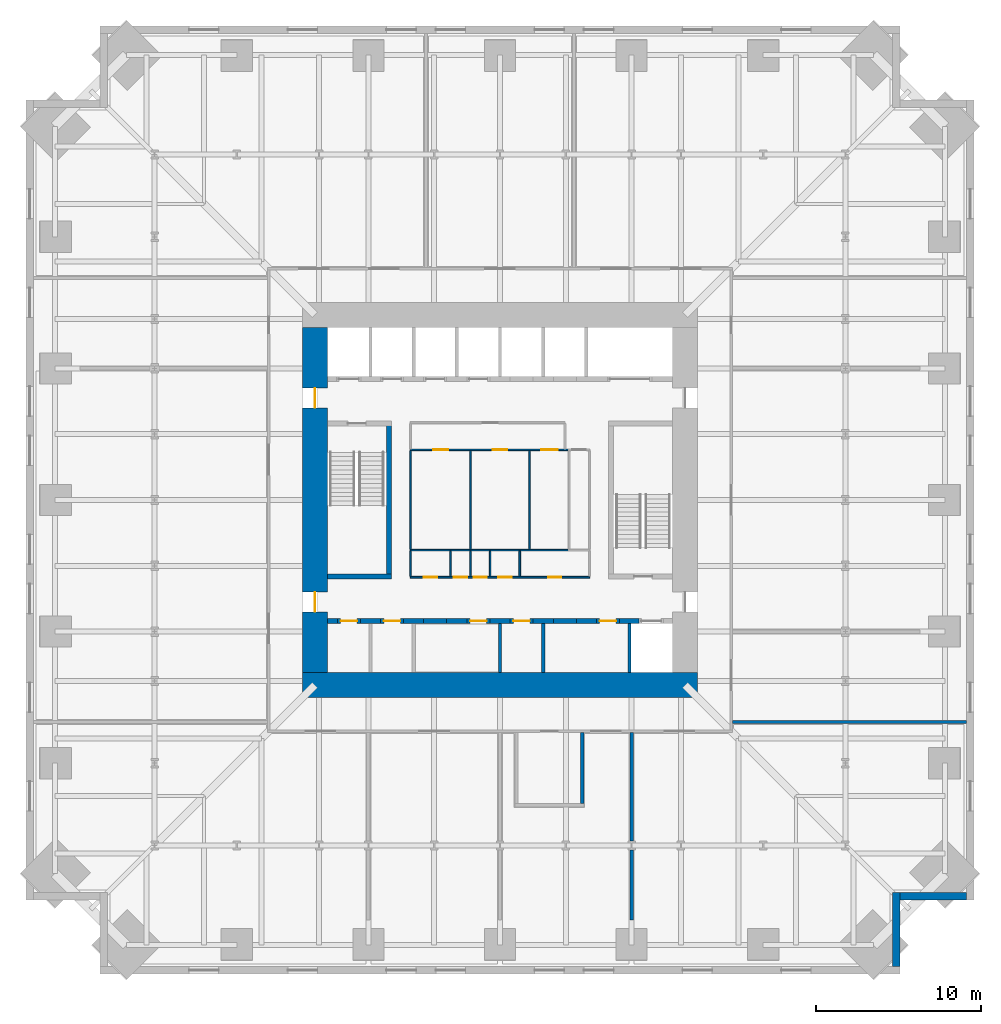
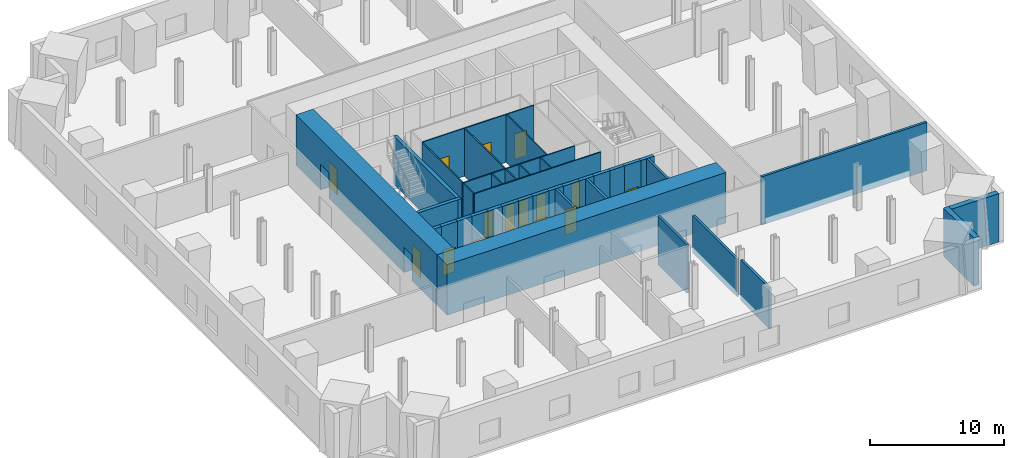
# One storey, part 4 of 8: 39 walls, 15 doors, 15 openings.
"""IFC4 building model written with IfcOpenShell, lengths in metres."""

from ifc_helpers import new_model, si_unit, direction, frame, frame_2d, origin, place, context, subcontext, project, spatial, rectangle, extrude, material, layer, layer_set, type_object, element, fill, save


model = new_model("IFC4")

# Units and contexts
model_context = context("Model", 3, precision=1e-05, world=origin(), true_north=direction((0.0, 1.0)))
body_context = subcontext(model_context, "Body", "Model", "MODEL_VIEW")
ifc_project = project(units=[si_unit("LENGTHUNIT", "METRE"), si_unit("AREAUNIT", "SQUARE_METRE"), si_unit("VOLUMEUNIT", "CUBIC_METRE"), si_unit("PLANEANGLEUNIT", "RADIAN"), si_unit("MASSUNIT", "GRAM", prefix="KILO")], contexts=[model_context])

# Site, building, storey
site_placement = place(None, origin())
site = spatial("IfcSite", under=ifc_project, at=site_placement, CompositionType="ELEMENT")
building_placement = place(site_placement, origin())
building = spatial("IfcBuilding", under=site, at=building_placement, Name="Peilmerk Tower", CompositionType="ELEMENT")
storey_placement = place(building_placement, frame((0.0, 0.0, 95.199951171875)))
storey = spatial("IfcBuildingStorey", under=building, at=storey_placement, Name="L18", CompositionType="ELEMENT", Elevation=95.199951171875)

# Walls
ifc_material_1 = material(Name="Precast concrete C45/55, board-marked finish", Category="concrete")
ifc_layer_1 = layer(ifc_material_1, 0.449951171875)
ifc_layer_set_1 = layer_set([ifc_layer_1], Name="Precast concrete C45/55, board-marked finish")
wall_type_1 = type_object("IfcWallType", Name="EW1 450 precast concrete facade wall, board-marked", PredefinedType="SOLIDWALL", material=ifc_layer_set_1)
wall_1_placement = place(storey_placement, frame((24.074951171875, -23.85009765625, 0.0), z_axis=(0.0, 0.0, 1.0), x_axis=(0.0, -1.0, 0.0)))
element("IfcWall", 1, at=wall_1_placement, inside=storey, type_object=wall_type_1, Name="Facade wall SEA L18", PredefinedType="SOLIDWALL", context=body_context, shape_type="SweptSolid", body=[
    extrude(rectangle(XDim=4.5, YDim=0.449951171875, at=frame_2d((2.25, 0.0))), origin(), (0.0, 0.0, 1.0), 4.400146484375),
])
wall_2_placement = place(storey_placement, frame((24.300048828125, -24.074951171875, 0.0), z_axis=(0.0, 0.0, 1.0), x_axis=(1.0, 0.0, 0.0)))
element("IfcWall", 2, at=wall_2_placement, inside=storey, type_object=wall_type_1, Name="Facade wall SEB L18", PredefinedType="SOLIDWALL", context=body_context, shape_type="SweptSolid", body=[
    extrude(rectangle(XDim=4.050048828125, YDim=0.449951171875, at=frame_2d((2.02490234375, 0.0))), origin(), (0.0, 0.0, 1.0), 4.400146484375),
])
ifc_material_2 = material(Name="Calcium silicate block", Category="masonry")
ifc_layer_2 = layer(ifc_material_2, 0.199951171875)
ifc_layer_set_2 = layer_set([ifc_layer_2], Name="Calcium silicate block")
wall_type_2 = type_object("IfcWallType", Name="IW2 200 room separating wall, EI 120", PredefinedType="PARTITIONING", material=ifc_layer_set_2)
wall_3_placement = place(storey_placement, frame((28.35009765625, -13.5, 0.0), z_axis=(0.0, 0.0, 1.0), x_axis=(-1.0, 0.0, 0.0)))
element("IfcWall", 3, at=wall_3_placement, inside=storey, type_object=wall_type_2, Name="Room separating wall SE L18", PredefinedType="PARTITIONING", context=body_context, shape_type="SweptSolid", body=[
    extrude(rectangle(XDim=14.22509765625, YDim=0.199951171875, at=frame_2d((7.112548828125, 0.0))), origin(), (0.0, 0.0, 1.0), 4.400146484375),
])
wall_4_placement = place(storey_placement, frame((8.0, -14.125, 0.0), z_axis=(0.0, 0.0, 1.0), x_axis=(0.0, -1.0, 0.0)))
element("IfcWall", 4, at=wall_4_placement, inside=storey, type_object=wall_type_2, Name="Room separating wall S3 L18", PredefinedType="PARTITIONING", context=body_context, shape_type="SweptSolid", body=[
    extrude(rectangle(XDim=6.590576171875, YDim=0.199951171875, at=frame_2d((3.29541015625, 0.0))), origin(), (0.0, 0.0, 1.0), 3.39208984375),
])
wall_5_placement = place(storey_placement, frame((8.0, -21.284423828125, 0.0), z_axis=(0.0, 0.0, 1.0), x_axis=(0.0, -1.0, 0.0)))
element("IfcWall", 5, at=wall_5_placement, inside=storey, type_object=wall_type_2, Name="Room separating wall S3b L18", PredefinedType="PARTITIONING", context=body_context, shape_type="SweptSolid", body=[
    extrude(rectangle(XDim=4.24462890625, YDim=0.199951171875, at=frame_2d((2.122314453125, 0.0))), origin(), (0.0, 0.0, 1.0), 3.7099609375),
])
wall_6_placement = place(storey_placement, frame((5.0, -14.125, 0.0), z_axis=(0.0, 0.0, 1.0), x_axis=(0.0, -1.0, 0.0)))
element("IfcWall", 6, at=wall_6_placement, inside=storey, type_object=wall_type_2, Name="Room separating wall Operations office L18", PredefinedType="PARTITIONING", context=body_context, shape_type="SweptSolid", body=[
    extrude(rectangle(XDim=4.324951171875, YDim=0.199951171875, at=frame_2d((2.16259765625, 0.0))), origin(), (0.0, 0.0, 1.0), 4.400146484375),
])
ifc_material_3 = material(Name="Concrete C35/45", Category="concrete")
ifc_layer_3 = layer(ifc_material_3, 0.300048828125)
ifc_layer_set_3 = layer_set([ifc_layer_3], Name="Concrete C35/45")
wall_type_3 = type_object("IfcWallType", Name="IW3 300 concrete stair enclosure wall, EI 120", PredefinedType="SOLIDWALL", material=ifc_layer_set_3)
wall_7_placement = place(storey_placement, frame((-6.75, -4.800048828125, 0.0), z_axis=(0.0, 0.0, 1.0), x_axis=(0.0, 1.0, 0.0)))
element("IfcWall", 7, at=wall_7_placement, inside=storey, type_object=wall_type_3, Name="Stair 1 enclosure L18", PredefinedType="SOLIDWALL", context=body_context, shape_type="SweptSolid", body=[
    extrude(rectangle(XDim=9.60009765625, YDim=0.300048828125, at=frame_2d((4.800048828125, 0.0))), origin(), (0.0, 0.0, 1.0), 4.35009765625),
])
wall_8_placement = place(storey_placement, frame((-6.60009765625, -4.64990234375, 0.0), z_axis=(0.0, 0.0, 1.0), x_axis=(-1.0, 0.0, 0.0)))
element("IfcWall", 8, at=wall_8_placement, inside=storey, type_object=wall_type_3, Name="Stair 1 enclosure L18", PredefinedType="SOLIDWALL", context=body_context, shape_type="SweptSolid", body=[
    extrude(rectangle(XDim=3.89990234375, YDim=0.300048828125, at=frame_2d((1.949951171875, 0.0))), origin(), (0.0, 0.0, 1.0), 4.35009765625),
])

# Wall, openings, doors
ifc_material_4 = material(Name="Plasterboard on steel studs", Category="steel")
ifc_layer_4 = layer(ifc_material_4, 0.10009765625)
ifc_layer_set_4 = layer_set([ifc_layer_4], Name="Plasterboard on steel studs")
wall_type_4 = type_object("IfcWallType", Name="IW4 100 WC partition", PredefinedType="PARTITIONING", material=ifc_layer_set_4)
wall_9_placement = place(storey_placement, frame((-5.449951171875, 3.050048828125, 0.0), z_axis=(0.0, 0.0, 1.0), x_axis=(1.0, 0.0, 0.0)))
wall_9 = element("IfcWall", 9, at=wall_9_placement, inside=storey, type_object=wall_type_4, Name="WC wall L18", PredefinedType="PARTITIONING", context=body_context, shape_type="SweptSolid", body=[
    extrude(rectangle(XDim=9.599853515625, YDim=0.10009765625, at=frame_2d((4.7998046875, 0.0))), origin(), (0.0, 0.0, 1.0), 4.35009765625),
])
opening_1_placement = place(wall_9_placement, frame((1.39990234375, 0.0, 0.0)))
opening_1 = element("IfcOpeningElement", 10, at=opening_1_placement, cuts=wall_9, Name="Opening D5", PredefinedType="OPENING", context=body_context, shape_type="SweptSolid", body=[
    extrude(rectangle(XDim=0.89990234375, YDim=2.300048828125, at=frame_2d((0.449951171875, 1.14990234375))), frame((0.0, 0.06005859375, 0.0), z_axis=(0.0, -1.0, 0.0), x_axis=(1.0, 0.0, 0.0)), (0.0, 0.0, 1.0), 0.1201171875),
])
opening_2_placement = place(wall_9_placement, frame((5.0, 0.0, 0.0)))
opening_2 = element("IfcOpeningElement", 11, at=opening_2_placement, cuts=wall_9, Name="Opening D5", PredefinedType="OPENING", context=body_context, shape_type="SweptSolid", body=[
    extrude(rectangle(XDim=0.89990234375, YDim=2.300048828125, at=frame_2d((0.449951171875, 1.14990234375))), frame((0.0, 0.06005859375, 0.0), z_axis=(0.0, -1.0, 0.0), x_axis=(1.0, 0.0, 0.0)), (0.0, 0.0, 1.0), 0.1201171875),
])
opening_3_placement = place(wall_9_placement, frame((7.949951171875, 0.0, 0.0)))
opening_3 = element("IfcOpeningElement", 12, at=opening_3_placement, cuts=wall_9, Name="Opening D6", PredefinedType="OPENING", context=body_context, shape_type="SweptSolid", body=[
    extrude(rectangle(XDim=1.0, YDim=2.300048828125, at=frame_2d((0.5, 1.14990234375))), frame((0.0, 0.06005859375, 0.0), z_axis=(0.0, -1.0, 0.0), x_axis=(1.0, 0.0, 0.0)), (0.0, 0.0, 1.0), 0.1201171875),
])
ifc_material_5 = material(Name="Timber door in steel frame", Category="steel")
door_type_1 = type_object("IfcDoorType", Name="D5 900x2300 WC door", OperationType="SINGLE_SWING_LEFT", PredefinedType="DOOR", material=ifc_material_5)
door_1_placement = place(opening_1_placement, frame((0.89990234375, 0.0, 0.0), z_axis=(0.0, 0.0, 1.0), x_axis=(-1.0, 0.0, 0.0)))
door_1 = element("IfcDoor", 13, at=door_1_placement, inside=storey, type_object=door_type_1, Name="Male toilets door L18", OperationType="SINGLE_SWING_LEFT", OverallHeight=2.300048828125, OverallWidth=0.89990234375, PredefinedType="DOOR", context=body_context, shape_type="SweptSolid", body=[
    extrude(rectangle(XDim=0.89990234375, YDim=2.300048828125, at=frame_2d((0.449951171875, 1.14990234375))), frame((0.0, 0.02490234375, 0.0), z_axis=(0.0, -1.0, 0.0), x_axis=(1.0, 0.0, 0.0)), (0.0, 0.0, 1.0), 0.050048828125),
])
fill(opening_1, door_1)
door_2_placement = place(opening_2_placement, frame((0.89990234375, 0.0, 0.0), z_axis=(0.0, 0.0, 1.0), x_axis=(-1.0, 0.0, 0.0)))
door_2 = element("IfcDoor", 14, at=door_2_placement, inside=storey, type_object=door_type_1, Name="Female toilets door L18", OperationType="SINGLE_SWING_LEFT", OverallHeight=2.300048828125, OverallWidth=0.89990234375, PredefinedType="DOOR", context=body_context, shape_type="SweptSolid", body=[
    extrude(rectangle(XDim=0.89990234375, YDim=2.300048828125, at=frame_2d((0.449951171875, 1.14990234375))), frame((0.0, 0.02490234375, 0.0), z_axis=(0.0, -1.0, 0.0), x_axis=(1.0, 0.0, 0.0)), (0.0, 0.0, 1.0), 0.050048828125),
])
fill(opening_2, door_2)
door_type_2 = type_object("IfcDoorType", Name="D6 1000x2300 accessible WC door", OperationType="SLIDING_TO_LEFT", PredefinedType="DOOR", material=ifc_material_5)
door_3_placement = place(opening_3_placement, frame((1.0, 0.0, 0.0), z_axis=(0.0, 0.0, 1.0), x_axis=(-1.0, 0.0, 0.0)))
door_3 = element("IfcDoor", 15, at=door_3_placement, inside=storey, type_object=door_type_2, Name="Accessible WC door L18", OperationType="SLIDING_TO_LEFT", OverallHeight=2.300048828125, OverallWidth=1.0, PredefinedType="DOOR", context=body_context, shape_type="SweptSolid", body=[
    extrude(rectangle(XDim=1.0, YDim=2.300048828125, at=frame_2d((0.5, 1.14990234375))), frame((0.0, 0.02490234375, 0.0), z_axis=(0.0, -1.0, 0.0), x_axis=(1.0, 0.0, 0.0)), (0.0, 0.0, 1.0), 0.050048828125),
])
fill(opening_3, door_3)

# Walls
wall_10_placement = place(storey_placement, frame((4.14990234375, -3.050048828125, 0.0), z_axis=(0.0, 0.0, 1.0), x_axis=(-1.0, 0.0, 0.0)))
element("IfcWall", 16, at=wall_10_placement, inside=storey, type_object=wall_type_4, Name="WC wall L18", PredefinedType="PARTITIONING", context=body_context, shape_type="SweptSolid", body=[
    extrude(rectangle(XDim=9.599853515625, YDim=0.10009765625, at=frame_2d((4.7998046875, 0.0))), origin(), (0.0, 0.0, 1.0), 4.35009765625),
])
for number, where, z_axis, x_axis, name in (
    (17, (-5.449951171875, -3.0, 0.0), (0.0, 0.0, 1.0), (0.0, 1.0, 0.0), "WC wall L18"),
    (18, (-1.800048828125, -3.0, 0.0), (0.0, 0.0, 1.0), (0.0, 1.0, 0.0), "WC wall L18"),
    (19, (1.800048828125, -3.0, 0.0), (0.0, 0.0, 1.0), (0.0, 1.0, 0.0), "WC wall L18"),
):
    element("IfcWall", number, at=place(storey_placement, frame(where, z_axis=z_axis, x_axis=x_axis)), inside=storey, type_object=wall_type_4, Name=name, PredefinedType="PARTITIONING", context=body_context, shape_type="SweptSolid", body=[
        extrude(rectangle(XDim=6.0, YDim=0.10009765625, at=frame_2d((3.0, 0.0))), origin(), (0.0, 0.0, 1.0), 4.35009765625),
    ])

# Wall, openings, doors
ifc_material_6 = material(Name="Calcium silicate board on steel studs", Category="steel")
ifc_layer_5 = layer(ifc_material_6, 0.10009765625)
ifc_layer_set_5 = layer_set([ifc_layer_5], Name="Calcium silicate board on steel studs")
wall_type_5 = type_object("IfcWallType", Name="IW5 100 riser enclosure wall, EI 60", PredefinedType="PARTITIONING", material=ifc_layer_set_5)
wall_11_placement = place(storey_placement, frame((5.449951171875, -4.699951171875, 0.0), z_axis=(0.0, 0.0, 1.0), x_axis=(-1.0, 0.0, 0.0)))
wall_11 = element("IfcWall", 20, at=wall_11_placement, inside=storey, type_object=wall_type_5, Name="Riser wall L18", PredefinedType="PARTITIONING", context=body_context, shape_type="SweptSolid", body=[
    extrude(rectangle(XDim=10.89990234375, YDim=0.10009765625, at=frame_2d((5.449951171875, 0.0))), origin(), (0.0, 0.0, 1.0), 4.35009765625),
])
opening_4_placement = place(wall_11_placement, frame((9.27490234375, 0.0, 0.0)))
opening_4 = element("IfcOpeningElement", 21, at=opening_4_placement, cuts=wall_11, Name="Opening D7", PredefinedType="OPENING", context=body_context, shape_type="SweptSolid", body=[
    extrude(rectangle(XDim=0.800048828125, YDim=2.300048828125, at=frame_2d((0.39990234375, 1.14990234375))), frame((0.0, 0.06005859375, 0.0), z_axis=(0.0, -1.0, 0.0), x_axis=(1.0, 0.0, 0.0)), (0.0, 0.0, 1.0), 0.1201171875),
])
opening_5_placement = place(wall_11_placement, frame((7.449951171875, 0.0, 0.0)))
opening_5 = element("IfcOpeningElement", 22, at=opening_5_placement, cuts=wall_11, Name="Opening D7", PredefinedType="OPENING", context=body_context, shape_type="SweptSolid", body=[
    extrude(rectangle(XDim=0.800048828125, YDim=2.300048828125, at=frame_2d((0.39990234375, 1.14990234375))), frame((0.0, 0.06005859375, 0.0), z_axis=(0.0, -1.0, 0.0), x_axis=(1.0, 0.0, 0.0)), (0.0, 0.0, 1.0), 0.1201171875),
])
opening_6_placement = place(wall_11_placement, frame((6.25, 0.0, 0.0)))
opening_6 = element("IfcOpeningElement", 23, at=opening_6_placement, cuts=wall_11, Name="Opening D7", PredefinedType="OPENING", context=body_context, shape_type="SweptSolid", body=[
    extrude(rectangle(XDim=0.800048828125, YDim=2.300048828125, at=frame_2d((0.39990234375, 1.14990234375))), frame((0.0, 0.06005859375, 0.0), z_axis=(0.0, -1.0, 0.0), x_axis=(1.0, 0.0, 0.0)), (0.0, 0.0, 1.0), 0.1201171875),
])
opening_7_placement = place(wall_11_placement, frame((4.75, 0.0, 0.0)))
opening_7 = element("IfcOpeningElement", 24, at=opening_7_placement, cuts=wall_11, Name="Opening D7", PredefinedType="OPENING", context=body_context, shape_type="SweptSolid", body=[
    extrude(rectangle(XDim=0.800048828125, YDim=2.300048828125, at=frame_2d((0.39990234375, 1.14990234375))), frame((0.0, 0.06005859375, 0.0), z_axis=(0.0, -1.0, 0.0), x_axis=(1.0, 0.0, 0.0)), (0.0, 0.0, 1.0), 0.1201171875),
])
opening_8_placement = place(wall_11_placement, frame((1.72509765625, 0.0, 0.0)))
opening_8 = element("IfcOpeningElement", 25, at=opening_8_placement, cuts=wall_11, Name="Opening D7", PredefinedType="OPENING", context=body_context, shape_type="SweptSolid", body=[
    extrude(rectangle(XDim=0.800048828125, YDim=2.300048828125, at=frame_2d((0.39990234375, 1.14990234375))), frame((0.0, 0.06005859375, 0.0), z_axis=(0.0, -1.0, 0.0), x_axis=(1.0, 0.0, 0.0)), (0.0, 0.0, 1.0), 0.1201171875),
])
ifc_material_7 = material(Name="Steel door in steel frame", Category="steel")
door_type_3 = type_object("IfcDoorType", Name="D7 800x2300 riser access door, EI2 60", OperationType="SINGLE_SWING_RIGHT", PredefinedType="DOOR", material=ifc_material_7)
door_4_placement = place(opening_4_placement, frame((0.800048828125, 0.0, 0.0), z_axis=(0.0, 0.0, 1.0), x_axis=(-1.0, 0.0, 0.0)))
door_4 = element("IfcDoor", 26, at=door_4_placement, inside=storey, type_object=door_type_3, Name="Electrical room door L18", OperationType="SINGLE_SWING_RIGHT", OverallHeight=2.300048828125, OverallWidth=0.800048828125, PredefinedType="DOOR", context=body_context, shape_type="SweptSolid", body=[
    extrude(rectangle(XDim=0.800048828125, YDim=2.300048828125, at=frame_2d((0.39990234375, 1.14990234375))), frame((0.0, 0.02490234375, 0.0), z_axis=(0.0, -1.0, 0.0), x_axis=(1.0, 0.0, 0.0)), (0.0, 0.0, 1.0), 0.050048828125),
])
fill(opening_4, door_4)
door_5_placement = place(opening_5_placement, frame((0.800048828125, 0.0, 0.0), z_axis=(0.0, 0.0, 1.0), x_axis=(-1.0, 0.0, 0.0)))
door_5 = element("IfcDoor", 27, at=door_5_placement, inside=storey, type_object=door_type_3, Name="Electrical riser door L18", OperationType="SINGLE_SWING_RIGHT", OverallHeight=2.300048828125, OverallWidth=0.800048828125, PredefinedType="DOOR", context=body_context, shape_type="SweptSolid", body=[
    extrude(rectangle(XDim=0.800048828125, YDim=2.300048828125, at=frame_2d((0.39990234375, 1.14990234375))), frame((0.0, 0.02490234375, 0.0), z_axis=(0.0, -1.0, 0.0), x_axis=(1.0, 0.0, 0.0)), (0.0, 0.0, 1.0), 0.050048828125),
])
fill(opening_5, door_5)
door_6_placement = place(opening_6_placement, frame((0.800048828125, 0.0, 0.0), z_axis=(0.0, 0.0, 1.0), x_axis=(-1.0, 0.0, 0.0)))
door_6 = element("IfcDoor", 28, at=door_6_placement, inside=storey, type_object=door_type_3, Name="Data riser door L18", OperationType="SINGLE_SWING_RIGHT", OverallHeight=2.300048828125, OverallWidth=0.800048828125, PredefinedType="DOOR", context=body_context, shape_type="SweptSolid", body=[
    extrude(rectangle(XDim=0.800048828125, YDim=2.300048828125, at=frame_2d((0.39990234375, 1.14990234375))), frame((0.0, 0.02490234375, 0.0), z_axis=(0.0, -1.0, 0.0), x_axis=(1.0, 0.0, 0.0)), (0.0, 0.0, 1.0), 0.050048828125),
])
fill(opening_6, door_6)
door_7_placement = place(opening_7_placement, frame((0.800048828125, 0.0, 0.0), z_axis=(0.0, 0.0, 1.0), x_axis=(-1.0, 0.0, 0.0)))
door_7 = element("IfcDoor", 29, at=door_7_placement, inside=storey, type_object=door_type_3, Name="Cleaner's cupboard door L18", OperationType="SINGLE_SWING_RIGHT", OverallHeight=2.300048828125, OverallWidth=0.800048828125, PredefinedType="DOOR", context=body_context, shape_type="SweptSolid", body=[
    extrude(rectangle(XDim=0.800048828125, YDim=2.300048828125, at=frame_2d((0.39990234375, 1.14990234375))), frame((0.0, 0.02490234375, 0.0), z_axis=(0.0, -1.0, 0.0), x_axis=(1.0, 0.0, 0.0)), (0.0, 0.0, 1.0), 0.050048828125),
])
fill(opening_7, door_7)
door_8_placement = place(opening_8_placement, frame((0.800048828125, 0.0, 0.0), z_axis=(0.0, 0.0, 1.0), x_axis=(-1.0, 0.0, 0.0)))
door_8 = element("IfcDoor", 30, at=door_8_placement, inside=storey, type_object=door_type_3, Name="Comms room door L18", OperationType="SINGLE_SWING_RIGHT", OverallHeight=2.300048828125, OverallWidth=0.800048828125, PredefinedType="DOOR", context=body_context, shape_type="SweptSolid", body=[
    extrude(rectangle(XDim=0.800048828125, YDim=2.300048828125, at=frame_2d((0.39990234375, 1.14990234375))), frame((0.0, 0.02490234375, 0.0), z_axis=(0.0, -1.0, 0.0), x_axis=(1.0, 0.0, 0.0)), (0.0, 0.0, 1.0), 0.050048828125),
])
fill(opening_8, door_8)

# Walls
for number, where, z_axis, x_axis, name in (
    (31, (-5.449951171875, -3.10009765625, 0.0), (0.0, 0.0, 1.0), (0.0, -1.0, 0.0), "Riser wall L18"),
    (32, (-3.0, -3.10009765625, 0.0), (0.0, 0.0, 1.0), (0.0, -1.0, 0.0), "Riser wall L18"),
    (33, (-1.800048828125, -3.10009765625, 0.0), (0.0, 0.0, 1.0), (0.0, -1.0, 0.0), "Riser wall L18"),
    (34, (-0.60009765625, -3.10009765625, 0.0), (0.0, 0.0, 1.0), (0.0, -1.0, 0.0), "Riser wall L18"),
    (35, (1.199951171875, -3.10009765625, 0.0), (0.0, 0.0, 1.0), (0.0, -1.0, 0.0), "Riser wall L18"),
):
    element("IfcWall", number, at=place(storey_placement, frame(where, z_axis=z_axis, x_axis=x_axis)), inside=storey, type_object=wall_type_5, Name=name, PredefinedType="PARTITIONING", context=body_context, shape_type="SweptSolid", body=[
        extrude(rectangle(XDim=1.5498046875, YDim=0.10009765625, at=frame_2d((0.77490234375, 0.0))), origin(), (0.0, 0.0, 1.0), 4.35009765625),
    ])
ifc_layer_6 = layer(ifc_material_2, 0.199951171875)
ifc_layer_set_6 = layer_set([ifc_layer_6], Name="Calcium silicate block")
wall_type_6 = type_object("IfcWallType", Name="SH1 200 shaft dividing wall, EI 120", PredefinedType="PARTITIONING", material=ifc_layer_set_6)
for number, where, z_axis, x_axis, name in (
    (36, (0.0, -10.5, 0.0), (0.0, 0.0, 1.0), (0.0, 1.0, 0.0), "Shaft wall S C1 L18"),
    (37, (2.625, -10.5, 0.0), (0.0, 0.0, 1.0), (0.0, 1.0, 0.0), "Shaft wall S B3 L18"),
    (38, (7.875, -10.5, 0.0), (0.0, 0.0, 1.0), (0.0, 1.0, 0.0), "Shaft wall S B1 L18"),
):
    element("IfcWall", number, at=place(storey_placement, frame(where, z_axis=z_axis, x_axis=x_axis)), inside=storey, type_object=wall_type_6, Name=name, PredefinedType="PARTITIONING", context=body_context, shape_type="SweptSolid", body=[
        extrude(rectangle(XDim=3.0, YDim=0.199951171875, at=frame_2d((1.5, 0.0))), origin(), (0.0, 0.0, 1.0), 4.60009765625),
    ])

# Wall, opening, door
ifc_layer_7 = layer(ifc_material_2, 0.300048828125)
ifc_layer_set_7 = layer_set([ifc_layer_7], Name="Calcium silicate block")
wall_type_7 = type_object("IfcWallType", Name="SH2 300 lift landing door panel, EI 120", PredefinedType="PARTITIONING", material=ifc_layer_set_7)
wall_12_placement = place(storey_placement, frame((-9.887451171875, -7.35009765625, 0.0), z_axis=(0.0, 0.0, 1.0), x_axis=(1.0, 0.0, 0.0)))
wall_12 = element("IfcWall", 39, at=wall_12_placement, inside=storey, type_object=wall_type_7, Name="Lift door panel S C4 L18", PredefinedType="PARTITIONING", context=body_context, shape_type="SweptSolid", body=[
    extrude(rectangle(XDim=1.39990234375, YDim=0.300048828125, at=frame_2d((0.699951171875, 0.0))), origin(), (0.0, 0.0, 1.0), 4.60009765625),
])
opening_9_placement = place(wall_12_placement, frame((0.199951171875, 0.0, 0.0)))
opening_9 = element("IfcOpeningElement", 40, at=opening_9_placement, cuts=wall_12, Name="Opening D10", PredefinedType="OPENING", context=body_context, shape_type="SweptSolid", body=[
    extrude(rectangle(XDim=1.0, YDim=2.300048828125, at=frame_2d((0.5, 1.14990234375))), frame((0.0, 0.159912109375, 0.0), z_axis=(0.0, -1.0, 0.0), x_axis=(1.0, 0.0, 0.0)), (0.0, 0.0, 1.0), 0.320068359375),
])
door_type_4 = type_object("IfcDoorType", Name="D10 1000x2300 core room door, EI2 60", OperationType="SINGLE_SWING_RIGHT", PredefinedType="DOOR", material=ifc_material_7)
door_9_placement = place(opening_9_placement, frame((1.0, 0.0, 0.0), z_axis=(0.0, 0.0, 1.0), x_axis=(-1.0, 0.0, 0.0)))
door_9 = element("IfcDoor", 41, at=door_9_placement, inside=storey, type_object=door_type_4, Name="Door Housekeeping store L18", OperationType="SINGLE_SWING_RIGHT", OverallHeight=2.300048828125, OverallWidth=1.0, PredefinedType="DOOR", context=body_context, shape_type="SweptSolid", body=[
    extrude(rectangle(XDim=1.0, YDim=2.300048828125, at=frame_2d((0.5, 1.14990234375))), frame((0.0, 0.02490234375, 0.0), z_axis=(0.0, -1.0, 0.0), x_axis=(1.0, 0.0, 0.0)), (0.0, 0.0, 1.0), 0.050048828125),
])
fill(opening_9, door_9)

wall_13_placement = place(storey_placement, frame((-7.262451171875, -7.35009765625, 0.0), z_axis=(0.0, 0.0, 1.0), x_axis=(1.0, 0.0, 0.0)))
wall_13 = element("IfcWall", 42, at=wall_13_placement, inside=storey, type_object=wall_type_7, Name="Lift door panel S C3 L18", PredefinedType="PARTITIONING", context=body_context, shape_type="SweptSolid", body=[
    extrude(rectangle(XDim=1.39990234375, YDim=0.300048828125, at=frame_2d((0.699951171875, 0.0))), origin(), (0.0, 0.0, 1.0), 4.60009765625),
])
opening_10_placement = place(wall_13_placement, frame((0.199951171875, 0.0, 0.0)))
opening_10 = element("IfcOpeningElement", 43, at=opening_10_placement, cuts=wall_13, Name="Opening D10", PredefinedType="OPENING", context=body_context, shape_type="SweptSolid", body=[
    extrude(rectangle(XDim=1.0, YDim=2.300048828125, at=frame_2d((0.5, 1.14990234375))), frame((0.0, 0.159912109375, 0.0), z_axis=(0.0, -1.0, 0.0), x_axis=(1.0, 0.0, 0.0)), (0.0, 0.0, 1.0), 0.320068359375),
])
door_10_placement = place(opening_10_placement, frame((1.0, 0.0, 0.0), z_axis=(0.0, 0.0, 1.0), x_axis=(-1.0, 0.0, 0.0)))
door_10 = element("IfcDoor", 44, at=door_10_placement, inside=storey, type_object=door_type_4, Name="Door Water meter room L18", OperationType="SINGLE_SWING_RIGHT", OverallHeight=2.300048828125, OverallWidth=1.0, PredefinedType="DOOR", context=body_context, shape_type="SweptSolid", body=[
    extrude(rectangle(XDim=1.0, YDim=2.300048828125, at=frame_2d((0.5, 1.14990234375))), frame((0.0, 0.02490234375, 0.0), z_axis=(0.0, -1.0, 0.0), x_axis=(1.0, 0.0, 0.0)), (0.0, 0.0, 1.0), 0.050048828125),
])
fill(opening_10, door_10)

# Wall
wall_14_placement = place(storey_placement, frame((-4.637451171875, -7.35009765625, 0.0), z_axis=(0.0, 0.0, 1.0), x_axis=(1.0, 0.0, 0.0)))
element("IfcWall", 45, at=wall_14_placement, inside=storey, type_object=wall_type_7, Name="Lift door panel S C2 L18", PredefinedType="PARTITIONING", context=body_context, shape_type="SweptSolid", body=[
    extrude(rectangle(XDim=1.39990234375, YDim=0.300048828125, at=frame_2d((0.699951171875, 0.0))), origin(), (0.0, 0.0, 1.0), 4.60009765625),
])

# Wall, opening, door
wall_15_placement = place(storey_placement, frame((-2.012451171875, -7.35009765625, 0.0), z_axis=(0.0, 0.0, 1.0), x_axis=(1.0, 0.0, 0.0)))
wall_15 = element("IfcWall", 46, at=wall_15_placement, inside=storey, type_object=wall_type_7, Name="Lift door panel S C1 L18", PredefinedType="PARTITIONING", context=body_context, shape_type="SweptSolid", body=[
    extrude(rectangle(XDim=1.39990234375, YDim=0.300048828125, at=frame_2d((0.699951171875, 0.0))), origin(), (0.0, 0.0, 1.0), 4.60009765625),
])
opening_11_placement = place(wall_15_placement, frame((0.199951171875, 0.0, 0.0)))
opening_11 = element("IfcOpeningElement", 47, at=opening_11_placement, cuts=wall_15, Name="Opening D10", PredefinedType="OPENING", context=body_context, shape_type="SweptSolid", body=[
    extrude(rectangle(XDim=1.0, YDim=2.300048828125, at=frame_2d((0.5, 1.14990234375))), frame((0.0, 0.159912109375, 0.0), z_axis=(0.0, -1.0, 0.0), x_axis=(1.0, 0.0, 0.0)), (0.0, 0.0, 1.0), 0.320068359375),
])
door_11_placement = place(opening_11_placement, frame((1.0, 0.0, 0.0), z_axis=(0.0, 0.0, 1.0), x_axis=(-1.0, 0.0, 0.0)))
door_11 = element("IfcDoor", 48, at=door_11_placement, inside=storey, type_object=door_type_4, Name="Door Back-of-house office L18", OperationType="SINGLE_SWING_RIGHT", OverallHeight=2.300048828125, OverallWidth=1.0, PredefinedType="DOOR", context=body_context, shape_type="SweptSolid", body=[
    extrude(rectangle(XDim=1.0, YDim=2.300048828125, at=frame_2d((0.5, 1.14990234375))), frame((0.0, 0.02490234375, 0.0), z_axis=(0.0, -1.0, 0.0), x_axis=(1.0, 0.0, 0.0)), (0.0, 0.0, 1.0), 0.050048828125),
])
fill(opening_11, door_11)

wall_16_placement = place(storey_placement, frame((0.612548828125, -7.35009765625, 0.0), z_axis=(0.0, 0.0, 1.0), x_axis=(1.0, 0.0, 0.0)))
wall_16 = element("IfcWall", 49, at=wall_16_placement, inside=storey, type_object=wall_type_7, Name="Lift door panel S B3 L18", PredefinedType="PARTITIONING", context=body_context, shape_type="SweptSolid", body=[
    extrude(rectangle(XDim=1.39990234375, YDim=0.300048828125, at=frame_2d((0.699951171875, 0.0))), origin(), (0.0, 0.0, 1.0), 4.60009765625),
])
opening_12_placement = place(wall_16_placement, frame((0.199951171875, 0.0, 0.0)))
opening_12 = element("IfcOpeningElement", 50, at=opening_12_placement, cuts=wall_16, Name="Opening D10", PredefinedType="OPENING", context=body_context, shape_type="SweptSolid", body=[
    extrude(rectangle(XDim=1.0, YDim=2.300048828125, at=frame_2d((0.5, 1.14990234375))), frame((0.0, 0.159912109375, 0.0), z_axis=(0.0, -1.0, 0.0), x_axis=(1.0, 0.0, 0.0)), (0.0, 0.0, 1.0), 0.320068359375),
])
door_12_placement = place(opening_12_placement, frame((1.0, 0.0, 0.0), z_axis=(0.0, 0.0, 1.0), x_axis=(-1.0, 0.0, 0.0)))
door_12 = element("IfcDoor", 51, at=door_12_placement, inside=storey, type_object=door_type_4, Name="Door Staff WC L18", OperationType="SINGLE_SWING_RIGHT", OverallHeight=2.300048828125, OverallWidth=1.0, PredefinedType="DOOR", context=body_context, shape_type="SweptSolid", body=[
    extrude(rectangle(XDim=1.0, YDim=2.300048828125, at=frame_2d((0.5, 1.14990234375))), frame((0.0, 0.02490234375, 0.0), z_axis=(0.0, -1.0, 0.0), x_axis=(1.0, 0.0, 0.0)), (0.0, 0.0, 1.0), 0.050048828125),
])
fill(opening_12, door_12)

# Wall
wall_17_placement = place(storey_placement, frame((3.237548828125, -7.35009765625, 0.0), z_axis=(0.0, 0.0, 1.0), x_axis=(1.0, 0.0, 0.0)))
element("IfcWall", 52, at=wall_17_placement, inside=storey, type_object=wall_type_7, Name="Lift door panel S B2 L18", PredefinedType="PARTITIONING", context=body_context, shape_type="SweptSolid", body=[
    extrude(rectangle(XDim=1.39990234375, YDim=0.300048828125, at=frame_2d((0.699951171875, 0.0))), origin(), (0.0, 0.0, 1.0), 4.60009765625),
])

# Wall, opening, door
wall_18_placement = place(storey_placement, frame((5.862548828125, -7.35009765625, 0.0), z_axis=(0.0, 0.0, 1.0), x_axis=(1.0, 0.0, 0.0)))
wall_18 = element("IfcWall", 53, at=wall_18_placement, inside=storey, type_object=wall_type_7, Name="Lift door panel S B1 L18", PredefinedType="PARTITIONING", context=body_context, shape_type="SweptSolid", body=[
    extrude(rectangle(XDim=1.39990234375, YDim=0.300048828125, at=frame_2d((0.699951171875, 0.0))), origin(), (0.0, 0.0, 1.0), 4.60009765625),
])
opening_13_placement = place(wall_18_placement, frame((0.199951171875, 0.0, 0.0)))
opening_13 = element("IfcOpeningElement", 54, at=opening_13_placement, cuts=wall_18, Name="Opening D10", PredefinedType="OPENING", context=body_context, shape_type="SweptSolid", body=[
    extrude(rectangle(XDim=1.0, YDim=2.300048828125, at=frame_2d((0.5, 1.14990234375))), frame((0.0, 0.159912109375, 0.0), z_axis=(0.0, -1.0, 0.0), x_axis=(1.0, 0.0, 0.0)), (0.0, 0.0, 1.0), 0.320068359375),
])
door_13_placement = place(opening_13_placement, frame((1.0, 0.0, 0.0), z_axis=(0.0, 0.0, 1.0), x_axis=(-1.0, 0.0, 0.0)))
door_13 = element("IfcDoor", 55, at=door_13_placement, inside=storey, type_object=door_type_4, Name="Door Vending room L18", OperationType="SINGLE_SWING_RIGHT", OverallHeight=2.300048828125, OverallWidth=1.0, PredefinedType="DOOR", context=body_context, shape_type="SweptSolid", body=[
    extrude(rectangle(XDim=1.0, YDim=2.300048828125, at=frame_2d((0.5, 1.14990234375))), frame((0.0, 0.02490234375, 0.0), z_axis=(0.0, -1.0, 0.0), x_axis=(1.0, 0.0, 0.0)), (0.0, 0.0, 1.0), 0.050048828125),
])
fill(opening_13, door_13)

# Wall
ifc_material_8 = material(Name="Concrete C55/67", Category="concrete")
ifc_layer_8 = layer(ifc_material_8, 1.5)
ifc_layer_set_8 = layer_set([ifc_layer_8], Name="Concrete C55/67")
wall_type_8 = type_object("IfcWallType", Name="SW1 1500 core wall", PredefinedType="SHEAR", material=ifc_layer_set_8)
wall_19_placement = place(storey_placement, frame((12.0, -11.25, 0.0), z_axis=(0.0, 0.0, 1.0), x_axis=(-1.0, 0.0, 0.0)))
element("IfcWall", 56, at=wall_19_placement, inside=storey, type_object=wall_type_8, Name="Core wall S L18", PredefinedType="SHEAR", context=body_context, shape_type="SweptSolid", body=[
    extrude(rectangle(XDim=24.0, YDim=1.5, at=frame_2d((12.0, 0.0))), origin(), (0.0, 0.0, 1.0), 4.60009765625),
])

# Wall, openings, doors
wall_20_placement = place(storey_placement, frame((-11.25, -10.5, 0.0), z_axis=(0.0, 0.0, 1.0), x_axis=(0.0, 1.0, 0.0)))
wall_20 = element("IfcWall", 57, at=wall_20_placement, inside=storey, type_object=wall_type_8, Name="Core wall W L18", PredefinedType="SHEAR", context=body_context, shape_type="SweptSolid", body=[
    extrude(rectangle(XDim=21.0, YDim=1.5, at=frame_2d((10.5, 0.0))), origin(), (0.0, 0.0, 1.0), 4.60009765625),
])
opening_14_placement = place(wall_20_placement, frame((16.10009765625, 0.0, 0.0)))
opening_14 = element("IfcOpeningElement", 58, at=opening_14_placement, cuts=wall_20, Name="Opening D3", PredefinedType="OPENING", context=body_context, shape_type="SweptSolid", body=[
    extrude(rectangle(XDim=1.199951171875, YDim=2.300048828125, at=frame_2d((0.60009765625, 1.14990234375))), frame((0.0, 0.760009765625, 0.0), z_axis=(0.0, -1.0, 0.0), x_axis=(1.0, 0.0, 0.0)), (0.0, 0.0, 1.0), 1.52001953125),
])
opening_15_placement = place(wall_20_placement, frame((3.699951171875, 0.0, 0.0)))
opening_15 = element("IfcOpeningElement", 59, at=opening_15_placement, cuts=wall_20, Name="Opening D3", PredefinedType="OPENING", context=body_context, shape_type="SweptSolid", body=[
    extrude(rectangle(XDim=1.199951171875, YDim=2.300048828125, at=frame_2d((0.60009765625, 1.14990234375))), frame((0.0, 0.760009765625, 0.0), z_axis=(0.0, -1.0, 0.0), x_axis=(1.0, 0.0, 0.0)), (0.0, 0.0, 1.0), 1.52001953125),
])
door_type_5 = type_object("IfcDoorType", Name="D3 1200x2300 core door, EI2 60", OperationType="SINGLE_SWING_LEFT", PredefinedType="DOOR", material=ifc_material_7)
door_14_placement = place(opening_14_placement, frame((1.199951171875, 0.0, 0.0), z_axis=(0.0, 0.0, 1.0), x_axis=(-1.0, 0.0, 0.0)))
door_14 = element("IfcDoor", 60, at=door_14_placement, inside=storey, type_object=door_type_5, Name="Core door L18", OperationType="SINGLE_SWING_LEFT", OverallHeight=2.300048828125, OverallWidth=1.199951171875, PredefinedType="DOOR", context=body_context, shape_type="SweptSolid", body=[
    extrude(rectangle(XDim=1.199951171875, YDim=2.300048828125, at=frame_2d((0.60009765625, 1.14990234375))), frame((0.0, 0.02490234375, 0.0), z_axis=(0.0, -1.0, 0.0), x_axis=(1.0, 0.0, 0.0)), (0.0, 0.0, 1.0), 0.050048828125),
])
fill(opening_14, door_14)
door_15_placement = place(opening_15_placement, frame((1.199951171875, 0.0, 0.0), z_axis=(0.0, 0.0, 1.0), x_axis=(-1.0, 0.0, 0.0)))
door_15 = element("IfcDoor", 61, at=door_15_placement, inside=storey, type_object=door_type_5, Name="Core door L18", OperationType="SINGLE_SWING_LEFT", OverallHeight=2.300048828125, OverallWidth=1.199951171875, PredefinedType="DOOR", context=body_context, shape_type="SweptSolid", body=[
    extrude(rectangle(XDim=1.199951171875, YDim=2.300048828125, at=frame_2d((0.60009765625, 1.14990234375))), frame((0.0, 0.02490234375, 0.0), z_axis=(0.0, -1.0, 0.0), x_axis=(1.0, 0.0, 0.0)), (0.0, 0.0, 1.0), 0.050048828125),
])
fill(opening_15, door_15)

# Walls
ifc_layer_9 = layer(ifc_material_8, 0.300048828125)
ifc_layer_set_9 = layer_set([ifc_layer_9], Name="Concrete C55/67")
wall_type_9 = type_object("IfcWallType", Name="SW2 300 lift bank pier", PredefinedType="SHEAR", material=ifc_layer_set_9)
wall_21_placement = place(storey_placement, frame((-10.5, -7.35009765625, 0.0), z_axis=(0.0, 0.0, 1.0), x_axis=(1.0, 0.0, 0.0)))
element("IfcWall", 62, at=wall_21_placement, inside=storey, type_object=wall_type_9, Name="Lift bank pier S L18", PredefinedType="SHEAR", context=body_context, shape_type="SweptSolid", body=[
    extrude(rectangle(XDim=0.612548828125, YDim=0.300048828125, at=frame_2d((0.30615234375, 0.0))), origin(), (0.0, 0.0, 1.0), 4.60009765625),
])
for number, where, z_axis, x_axis, name in (
    (63, (-8.487548828125, -7.35009765625, 0.0), (0.0, 0.0, 1.0), (1.0, 0.0, 0.0), "Lift bank pier S L18"),
    (64, (-5.862548828125, -7.35009765625, 0.0), (0.0, 0.0, 1.0), (1.0, 0.0, 0.0), "Lift bank pier S L18"),
    (65, (-3.237548828125, -7.35009765625, 0.0), (0.0, 0.0, 1.0), (1.0, 0.0, 0.0), "Lift bank pier S L18"),
    (66, (-0.612548828125, -7.35009765625, 0.0), (0.0, 0.0, 1.0), (1.0, 0.0, 0.0), "Lift bank pier S L18"),
    (67, (2.012451171875, -7.35009765625, 0.0), (0.0, 0.0, 1.0), (1.0, 0.0, 0.0), "Lift bank pier S L18"),
    (68, (4.637451171875, -7.35009765625, 0.0), (0.0, 0.0, 1.0), (1.0, 0.0, 0.0), "Lift bank pier S L18"),
):
    element("IfcWall", number, at=place(storey_placement, frame(where, z_axis=z_axis, x_axis=x_axis)), inside=storey, type_object=wall_type_9, Name=name, PredefinedType="SHEAR", context=body_context, shape_type="SweptSolid", body=[
        extrude(rectangle(XDim=1.22509765625, YDim=0.300048828125, at=frame_2d((0.612548828125, 0.0))), origin(), (0.0, 0.0, 1.0), 4.60009765625),
    ])
wall_22_placement = place(storey_placement, frame((7.262451171875, -7.35009765625, 0.0), z_axis=(0.0, 0.0, 1.0), x_axis=(1.0, 0.0, 0.0)))
element("IfcWall", 69, at=wall_22_placement, inside=storey, type_object=wall_type_9, Name="Lift bank pier S L18", PredefinedType="SHEAR", context=body_context, shape_type="SweptSolid", body=[
    extrude(rectangle(XDim=1.175048828125, YDim=0.300048828125, at=frame_2d((0.58740234375, 0.0))), origin(), (0.0, 0.0, 1.0), 4.60009765625),
])

save(model, "model.ifc")
